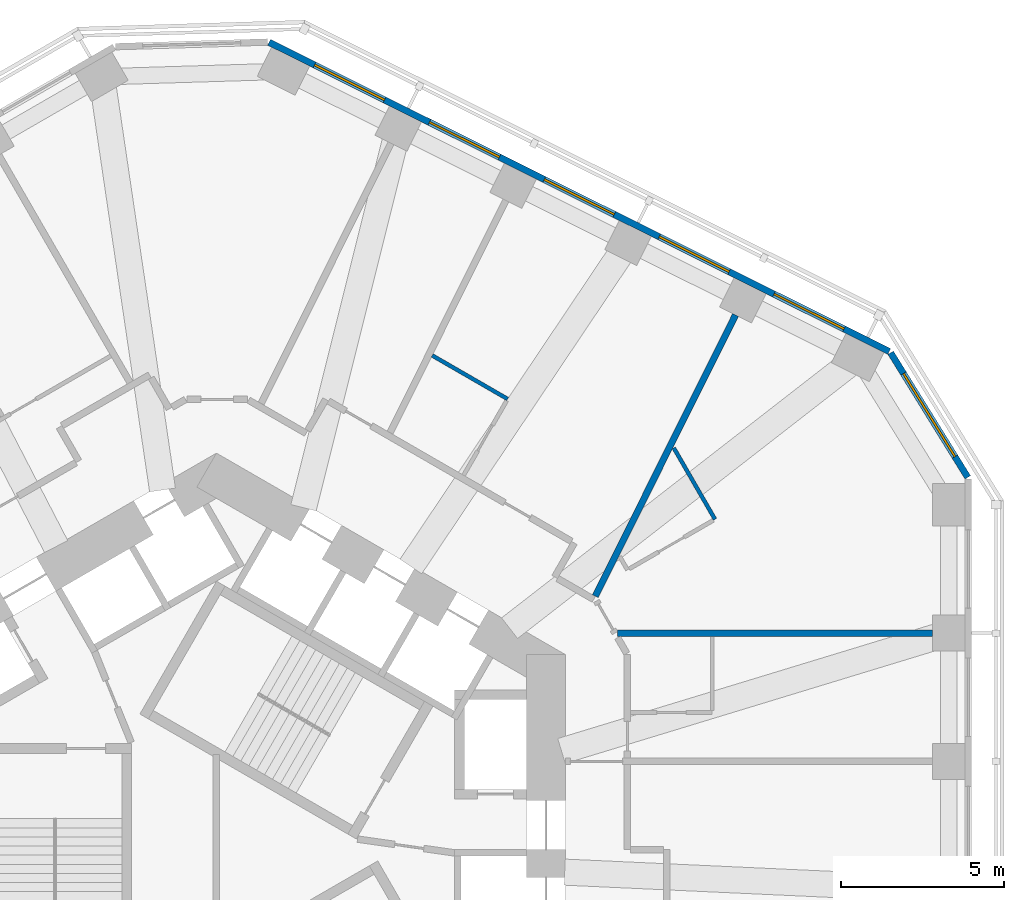
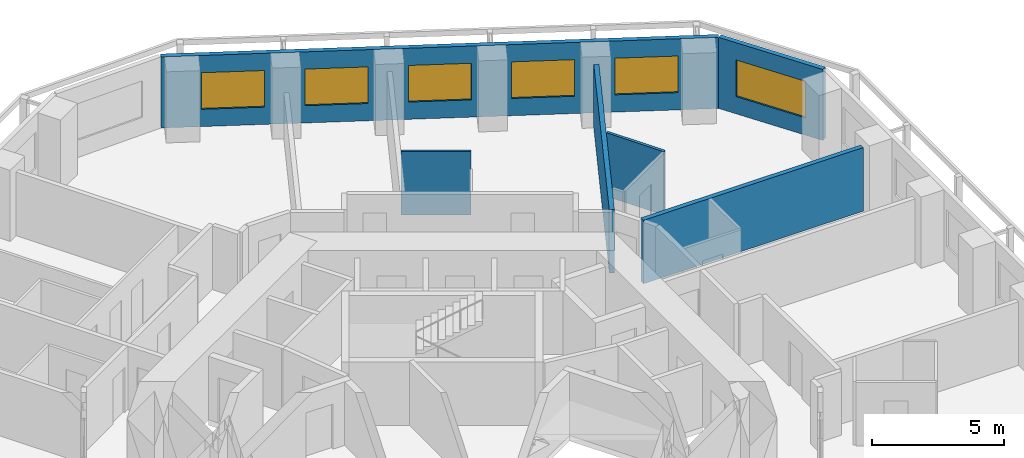
# One storey, part 9 of 12: 6 walls, 6 windows, 6 openings.
"""IFC4 building model written with IfcOpenShell, lengths in metres."""

from ifc_helpers import new_model, si_unit, direction, frame, frame_2d, origin, place, context, subcontext, project, spatial, rectangle, extrude, material, layer, layer_set, type_object, element, fill, save


model = new_model("IFC4")

# Units and contexts
model_context = context("Model", 3, precision=1e-05, world=origin(), true_north=direction((0.0, 1.0)))
body_context = subcontext(model_context, "Body", "Model", "MODEL_VIEW")
ifc_project = project(units=[si_unit("LENGTHUNIT", "METRE"), si_unit("AREAUNIT", "SQUARE_METRE"), si_unit("VOLUMEUNIT", "CUBIC_METRE"), si_unit("PLANEANGLEUNIT", "RADIAN"), si_unit("MASSUNIT", "GRAM", prefix="KILO")], contexts=[model_context])

# Site, building, storey
site_placement = place(None, origin())
site = spatial("IfcSite", under=ifc_project, at=site_placement, CompositionType="ELEMENT")
building_placement = place(site_placement, origin())
building = spatial("IfcBuilding", under=site, at=building_placement, Name="Vanh Sen Convention Tower", CompositionType="ELEMENT")
storey_placement = place(building_placement, frame((0.0, 0.0, 116.60009765625)))
storey = spatial("IfcBuildingStorey", under=building, at=storey_placement, Name="L28", CompositionType="ELEMENT", Elevation=116.60009765625)

# Walls
ifc_material_1 = material(Name="Moisture-resistant gypsum board on steel studs", Category="steel")
ifc_layer_1 = layer(ifc_material_1, 0.1201171875)
ifc_layer_set_1 = layer_set([ifc_layer_1], Name="Moisture-resistant gypsum board on steel studs")
wall_type_1 = type_object("IfcWallType", Name="Bathroom partition 120", PredefinedType="PARTITIONING", material=ifc_layer_set_1)
wall_1_placement = place(storey_placement, frame((6.614013671875, 15.3505859375, 0.0), z_axis=(0.0, 0.0, 1.0), x_axis=(0.866024262117, -0.500001977421, 0.0)))
element("IfcWall", 1, at=wall_1_placement, inside=storey, type_object=wall_type_1, Name="Bathroom partition 120", PredefinedType="PARTITIONING", context=body_context, shape_type="SweptSolid", body=[
    extrude(rectangle(XDim=2.67138671875, YDim=0.1201171875, at=frame_2d((1.335693359375, 0.0))), origin(), (0.0, 0.0, 1.0), 2.949951171875),
])
wall_2_placement = place(storey_placement, frame((14.021728515625, 12.51513671875, 0.0), z_axis=(0.0, 0.0, 1.0), x_axis=(0.499962146402, -0.866047257466, 0.0)))
element("IfcWall", 2, at=wall_2_placement, inside=storey, type_object=wall_type_1, Name="Bathroom partition 120", PredefinedType="PARTITIONING", context=body_context, shape_type="SweptSolid", body=[
    extrude(rectangle(XDim=2.527587890625, YDim=0.1201171875, at=frame_2d((1.263671875, 0.0))), origin(), (0.0, 0.0, 1.0), 2.949951171875),
])

# Wall, opening, window
ifc_material_2 = material(Name="Insulated lightweight infill wall")
ifc_layer_2 = layer(ifc_material_2, 0.199951171875)
ifc_layer_set_2 = layer_set([ifc_layer_2], Name="Insulated lightweight infill wall")
wall_type_2 = type_object("IfcWallType", Name="External wall 200", PredefinedType="STANDARD", material=ifc_layer_set_2)
wall_3_placement = place(storey_placement, frame((23.034912109375, 11.612060546875, 0.0), z_axis=(0.0, 0.0, 1.0), x_axis=(-0.526160091227, 0.850385535155, 0.0)))
wall_3 = element("IfcWall", 3, at=wall_3_placement, inside=storey, type_object=wall_type_2, Name="External wall CH1 L28", PredefinedType="STANDARD", context=body_context, shape_type="SweptSolid", body=[
    extrude(rectangle(XDim=4.493896484375, YDim=0.199951171875, at=frame_2d((2.2470703125, 0.0))), origin(), (0.0, 0.0, 1.0), 3.2998046875),
])
opening_1_placement = place(wall_3_placement, frame((0.746826171875, 0.0, 0.800048828125)))
opening_1 = element("IfcOpeningElement", 4, at=opening_1_placement, cuts=wall_3, Name="Opening WH2-CH11", PredefinedType="OPENING", context=body_context, shape_type="SweptSolid", body=[
    extrude(rectangle(XDim=3.0, YDim=1.699951171875, at=frame_2d((1.5, 0.85009765625))), frame((0.0, 0.10986328125, 0.0), z_axis=(0.0, -1.0, 0.0), x_axis=(1.0, 0.0, 0.0)), (0.0, 0.0, 1.0), 0.219970703125),
])
ifc_material_3 = material(Name="Aluminium frame with clear low-emissivity glass", Category="aluminium")
window_type_1 = type_object("IfcWindowType", Name="Hotel window 3000 x 1700", PartitioningType="SINGLE_PANEL", PredefinedType="WINDOW", material=ifc_material_3)
window_1_placement = place(opening_1_placement, origin())
window_1 = element("IfcWindow", 5, at=window_1_placement, inside=storey, type_object=window_type_1, Name="Window WH2-CH11", OverallHeight=1.699951171875, OverallWidth=3.0, PartitioningType="SINGLE_PANEL", PredefinedType="WINDOW", context=body_context, shape_type="SweptSolid", body=[
    extrude(rectangle(XDim=3.0, YDim=1.699951171875, at=frame_2d((1.5, 0.85009765625))), frame((0.0, 0.030029296875, 0.0), z_axis=(0.0, -1.0, 0.0), x_axis=(1.0, 0.0, 0.0)), (0.0, 0.0, 1.0), 0.06005859375),
])
fill(opening_1, window_1)

# Wall, openings, windows
wall_4_placement = place(storey_placement, frame((20.6298828125, 15.470458984375, 0.0), z_axis=(0.0, 0.0, 1.0), x_axis=(-0.894934518609, 0.446197498203, 0.0)))
wall_4 = element("IfcWall", 6, at=wall_4_placement, inside=storey, type_object=wall_type_2, Name="External wall NE L28", PredefinedType="STANDARD", context=body_context, shape_type="SweptSolid", body=[
    extrude(rectangle(XDim=21.24609375, YDim=0.199951171875, at=frame_2d((10.623046875, 0.0))), origin(), (0.0, 0.0, 1.0), 3.2998046875),
])
opening_2_placement = place(wall_4_placement, frame((1.552978515625, 0.0, 0.800048828125)))
opening_2 = element("IfcOpeningElement", 7, at=opening_2_placement, cuts=wall_4, Name="Opening WH1-NE1", PredefinedType="OPENING", context=body_context, shape_type="SweptSolid", body=[
    extrude(rectangle(XDim=2.39990234375, YDim=1.699951171875, at=frame_2d((1.199951171875, 0.85009765625))), frame((0.0, 0.10986328125, 0.0), z_axis=(0.0, -1.0, 0.0), x_axis=(1.0, 0.0, 0.0)), (0.0, 0.0, 1.0), 0.219970703125),
])
opening_3_placement = place(wall_4_placement, frame((5.48779296875, 0.0, 0.800048828125)))
opening_3 = element("IfcOpeningElement", 8, at=opening_3_placement, cuts=wall_4, Name="Opening WH1-NE2", PredefinedType="OPENING", context=body_context, shape_type="SweptSolid", body=[
    extrude(rectangle(XDim=2.39990234375, YDim=1.699951171875, at=frame_2d((1.199951171875, 0.85009765625))), frame((0.0, 0.10986328125, 0.0), z_axis=(0.0, -1.0, 0.0), x_axis=(1.0, 0.0, 0.0)), (0.0, 0.0, 1.0), 0.219970703125),
])
opening_4_placement = place(wall_4_placement, frame((9.42236328125, 0.0, 0.800048828125)))
opening_4 = element("IfcOpeningElement", 9, at=opening_4_placement, cuts=wall_4, Name="Opening WH1-NE3", PredefinedType="OPENING", context=body_context, shape_type="SweptSolid", body=[
    extrude(rectangle(XDim=2.39990234375, YDim=1.699951171875, at=frame_2d((1.199951171875, 0.85009765625))), frame((0.0, 0.10986328125, 0.0), z_axis=(0.0, -1.0, 0.0), x_axis=(1.0, 0.0, 0.0)), (0.0, 0.0, 1.0), 0.219970703125),
])
opening_5_placement = place(wall_4_placement, frame((13.35693359375, 0.0, 0.800048828125)))
opening_5 = element("IfcOpeningElement", 10, at=opening_5_placement, cuts=wall_4, Name="Opening WH1-NE4", PredefinedType="OPENING", context=body_context, shape_type="SweptSolid", body=[
    extrude(rectangle(XDim=2.39990234375, YDim=1.699951171875, at=frame_2d((1.199951171875, 0.85009765625))), frame((0.0, 0.10986328125, 0.0), z_axis=(0.0, -1.0, 0.0), x_axis=(1.0, 0.0, 0.0)), (0.0, 0.0, 1.0), 0.219970703125),
])
opening_6_placement = place(wall_4_placement, frame((17.29150390625, 0.0, 0.800048828125)))
opening_6 = element("IfcOpeningElement", 11, at=opening_6_placement, cuts=wall_4, Name="Opening WH1-NE5", PredefinedType="OPENING", context=body_context, shape_type="SweptSolid", body=[
    extrude(rectangle(XDim=2.39990234375, YDim=1.699951171875, at=frame_2d((1.199951171875, 0.85009765625))), frame((0.0, 0.10986328125, 0.0), z_axis=(0.0, -1.0, 0.0), x_axis=(1.0, 0.0, 0.0)), (0.0, 0.0, 1.0), 0.219970703125),
])
window_type_2 = type_object("IfcWindowType", Name="Hotel window 2400 x 1700", PartitioningType="SINGLE_PANEL", PredefinedType="WINDOW", material=ifc_material_3)
window_2_placement = place(opening_2_placement, origin())
window_2 = element("IfcWindow", 12, at=window_2_placement, inside=storey, type_object=window_type_2, Name="Window WH1-NE1", OverallHeight=1.699951171875, OverallWidth=2.39990234375, PartitioningType="SINGLE_PANEL", PredefinedType="WINDOW", context=body_context, shape_type="SweptSolid", body=[
    extrude(rectangle(XDim=2.39990234375, YDim=1.699951171875, at=frame_2d((1.199951171875, 0.85009765625))), frame((0.0, 0.030029296875, 0.0), z_axis=(0.0, -1.0, 0.0), x_axis=(1.0, 0.0, 0.0)), (0.0, 0.0, 1.0), 0.06005859375),
])
fill(opening_2, window_2)
window_3_placement = place(opening_3_placement, origin())
window_3 = element("IfcWindow", 13, at=window_3_placement, inside=storey, type_object=window_type_2, Name="Window WH1-NE2", OverallHeight=1.699951171875, OverallWidth=2.39990234375, PartitioningType="SINGLE_PANEL", PredefinedType="WINDOW", context=body_context, shape_type="SweptSolid", body=[
    extrude(rectangle(XDim=2.39990234375, YDim=1.699951171875, at=frame_2d((1.199951171875, 0.85009765625))), frame((0.0, 0.030029296875, 0.0), z_axis=(0.0, -1.0, 0.0), x_axis=(1.0, 0.0, 0.0)), (0.0, 0.0, 1.0), 0.06005859375),
])
fill(opening_3, window_3)
window_4_placement = place(opening_4_placement, origin())
window_4 = element("IfcWindow", 14, at=window_4_placement, inside=storey, type_object=window_type_2, Name="Window WH1-NE3", OverallHeight=1.699951171875, OverallWidth=2.39990234375, PartitioningType="SINGLE_PANEL", PredefinedType="WINDOW", context=body_context, shape_type="SweptSolid", body=[
    extrude(rectangle(XDim=2.39990234375, YDim=1.699951171875, at=frame_2d((1.199951171875, 0.85009765625))), frame((0.0, 0.030029296875, 0.0), z_axis=(0.0, -1.0, 0.0), x_axis=(1.0, 0.0, 0.0)), (0.0, 0.0, 1.0), 0.06005859375),
])
fill(opening_4, window_4)
window_5_placement = place(opening_5_placement, origin())
window_5 = element("IfcWindow", 15, at=window_5_placement, inside=storey, type_object=window_type_2, Name="Window WH1-NE4", OverallHeight=1.699951171875, OverallWidth=2.39990234375, PartitioningType="SINGLE_PANEL", PredefinedType="WINDOW", context=body_context, shape_type="SweptSolid", body=[
    extrude(rectangle(XDim=2.39990234375, YDim=1.699951171875, at=frame_2d((1.199951171875, 0.85009765625))), frame((0.0, 0.030029296875, 0.0), z_axis=(0.0, -1.0, 0.0), x_axis=(1.0, 0.0, 0.0)), (0.0, 0.0, 1.0), 0.06005859375),
])
fill(opening_5, window_5)
window_6_placement = place(opening_6_placement, origin())
window_6 = element("IfcWindow", 16, at=window_6_placement, inside=storey, type_object=window_type_2, Name="Window WH1-NE5", OverallHeight=1.699951171875, OverallWidth=2.39990234375, PartitioningType="SINGLE_PANEL", PredefinedType="WINDOW", context=body_context, shape_type="SweptSolid", body=[
    extrude(rectangle(XDim=2.39990234375, YDim=1.699951171875, at=frame_2d((1.199951171875, 0.85009765625))), frame((0.0, 0.030029296875, 0.0), z_axis=(0.0, -1.0, 0.0), x_axis=(1.0, 0.0, 0.0)), (0.0, 0.0, 1.0), 0.06005859375),
])
fill(opening_6, window_6)

# Walls
ifc_material_4 = material(Name="Gypsum board on steel studs with mineral wool", Category="steel")
ifc_layer_3 = layer(ifc_material_4, 0.199951171875)
ifc_layer_set_3 = layer_set([ifc_layer_3], Name="Gypsum board on steel studs with mineral wool")
wall_type_3 = type_object("IfcWallType", Name="Hotel party wall 200", PredefinedType="PARTITIONING", material=ifc_layer_set_3)
wall_5_placement = place(storey_placement, frame((15.91455078125, 16.59228515625, 0.0), z_axis=(0.0, 0.0, 1.0), x_axis=(-0.446199736347, -0.894933402709, 0.0)))
element("IfcWall", 17, at=wall_5_placement, inside=storey, type_object=wall_type_3, Name="Hotel party wall 200", PredefinedType="PARTITIONING", context=body_context, shape_type="SweptSolid", body=[
    extrude(rectangle(XDim=9.634765625, YDim=0.199951171875, at=frame_2d((4.8173828125, 0.0))), origin(), (0.0, 0.0, 1.0), 2.949951171875),
])
wall_6_placement = place(storey_placement, frame((21.949951171875, 6.839111328125, 0.0), z_axis=(0.0, 0.0, 1.0), x_axis=(-1.0, 0.0, 0.0)))
element("IfcWall", 18, at=wall_6_placement, inside=storey, type_object=wall_type_3, Name="Hotel party wall 200", PredefinedType="PARTITIONING", context=body_context, shape_type="SweptSolid", body=[
    extrude(rectangle(XDim=9.64990234375, YDim=0.199951171875, at=frame_2d((4.824951171875, 0.0))), origin(), (0.0, 0.0, 1.0), 2.949951171875),
])

save(model, "model.ifc")
